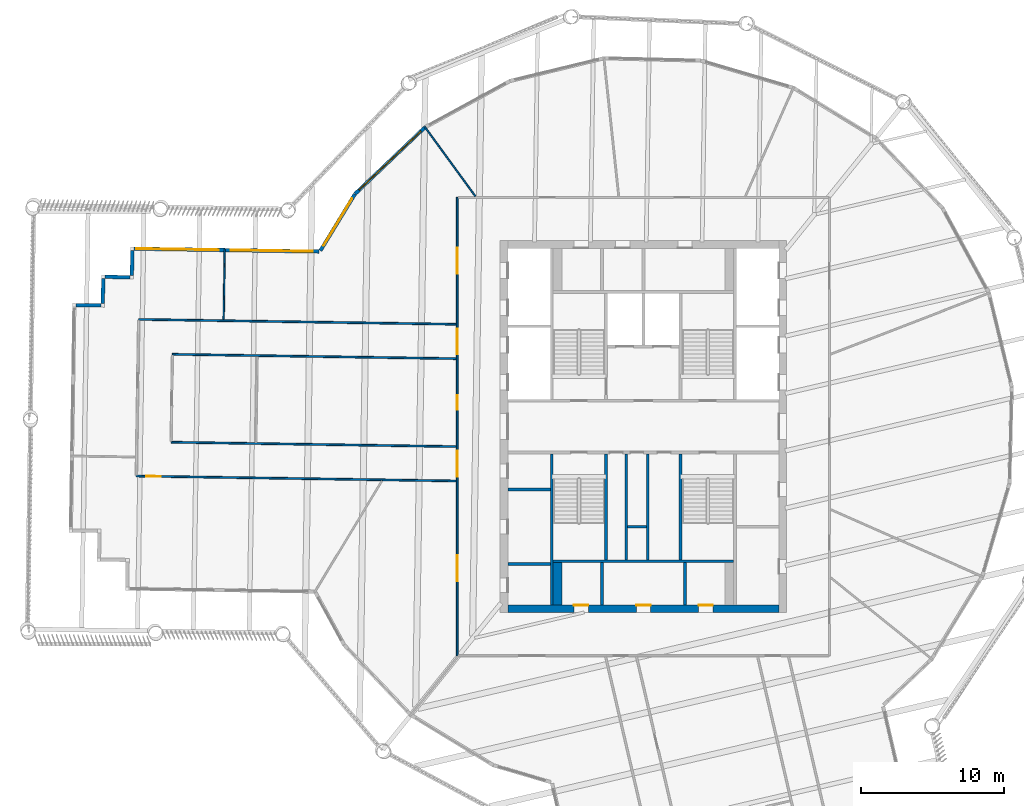
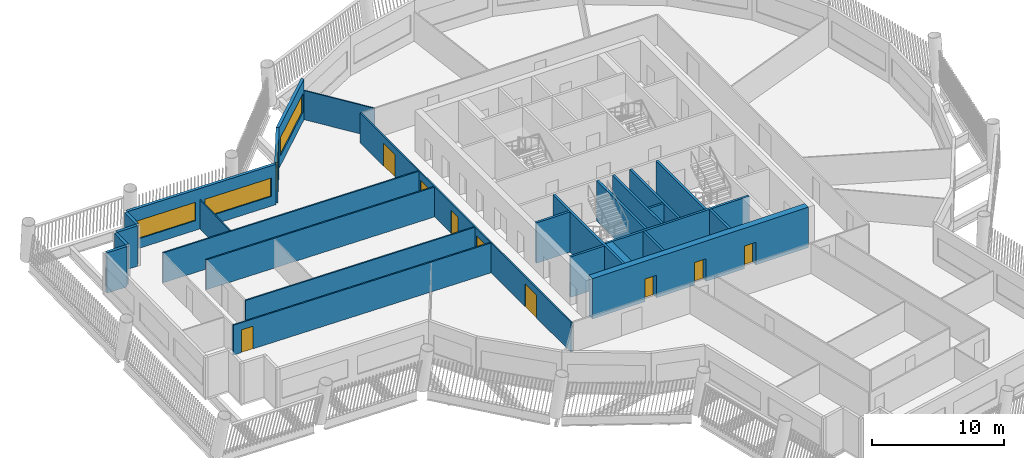
# One storey, part 4 of 15: 27 walls, 9 doors, 4 windows, 13 openings.
"""IFC4 building model written with IfcOpenShell, lengths in metres."""

from ifc_helpers import new_model, si_unit, direction, frame, frame_2d, origin, place, context, subcontext, project, spatial, rectangle, extrude, material, layer, layer_set, type_object, element, fill, save


model = new_model("IFC4")

# Units and contexts
model_context = context("Model", 3, precision=1e-05, world=origin(), true_north=direction((0.0, 1.0)))
body_context = subcontext(model_context, "Body", "Model", "MODEL_VIEW")
ifc_project = project(units=[si_unit("LENGTHUNIT", "METRE"), si_unit("AREAUNIT", "SQUARE_METRE"), si_unit("VOLUMEUNIT", "CUBIC_METRE"), si_unit("PLANEANGLEUNIT", "RADIAN"), si_unit("MASSUNIT", "GRAM", prefix="KILO")], contexts=[model_context])

# Site, building, storey
site_placement = place(None, origin())
site = spatial("IfcSite", under=ifc_project, at=site_placement, CompositionType="ELEMENT")
building_placement = place(site_placement, origin())
building = spatial("IfcBuilding", under=site, at=building_placement, Name="Tarsis Ring Headquarters", CompositionType="ELEMENT")
storey_placement = place(building_placement, frame((0.0, 0.0, 282.5)))
storey = spatial("IfcBuildingStorey", under=building, at=storey_placement, Name="L66", CompositionType="ELEMENT", Elevation=282.5)

# Walls
ifc_material_1 = material(Name="Blockwork", Category="masonry")
ifc_layer_1 = layer(ifc_material_1, 0.199951171875)
ifc_layer_set_1 = layer_set([ifc_layer_1], Name="Core blockwork wall 200")
wall_type_1 = type_object("IfcWallType", Name="Core blockwork wall 200", PredefinedType="PARTITIONING", material=ifc_layer_set_1)
for number, where, z_axis, x_axis, name in (
    (1, (-9.449951171875, -9.60009765625, 0.0), (0.0, 0.0, 1.0), (1.0, 0.0, 0.0), "Core partition WD1"),
    (2, (-9.449951171875, -4.39990234375, 0.0), (0.0, 0.0, 1.0), (1.0, 0.0, 0.0), "Core partition WD3"),
    (3, (-2.89990234375, -12.449951171875, 0.0), (0.0, 0.0, 1.0), (0.0, 1.0, 0.0), "Core partition SD1"),
    (4, (2.89990234375, -12.449951171875, 0.0), (0.0, 0.0, 1.0), (0.0, 1.0, 0.0), "Core partition SD3"),
):
    element("IfcWall", number, at=place(storey_placement, frame(where, z_axis=z_axis, x_axis=x_axis)), inside=storey, type_object=wall_type_1, Name=name, PredefinedType="PARTITIONING", context=body_context, shape_type="SweptSolid", body=[
        extrude(rectangle(XDim=2.949951171875, YDim=0.199951171875, at=frame_2d((1.47509765625, 0.0))), origin(), (0.0, 0.0, 1.0), 3.739990234375),
    ])
wall_1_placement = place(storey_placement, frame((-1.10009765625, -7.0, 0.0), z_axis=(0.0, 0.0, 1.0), x_axis=(1.0, 0.0, 0.0)))
element("IfcWall", 5, at=wall_1_placement, inside=storey, type_object=wall_type_1, Name="Core partition SP2", PredefinedType="PARTITIONING", context=body_context, shape_type="SweptSolid", body=[
    extrude(rectangle(XDim=1.300048828125, YDim=0.199951171875, at=frame_2d((0.64990234375, 0.0))), origin(), (0.0, 0.0, 1.0), 3.739990234375),
])
for number, where, z_axis, x_axis, name in (
    (6, (-1.199951171875, -9.300048828125, 0.0), (0.0, 0.0, 1.0), (0.0, 1.0, 0.0), "Core partition SV1"),
    (7, (0.300048828125, -9.300048828125, 0.0), (0.0, 0.0, 1.0), (0.0, 1.0, 0.0), "Core partition SV2"),
):
    element("IfcWall", number, at=place(storey_placement, frame(where, z_axis=z_axis, x_axis=x_axis)), inside=storey, type_object=wall_type_1, Name=name, PredefinedType="PARTITIONING", context=body_context, shape_type="SweptSolid", body=[
        extrude(rectangle(XDim=7.400146484375, YDim=0.199951171875, at=frame_2d((3.7001953125, 0.0))), origin(), (0.0, 0.0, 1.0), 3.739990234375),
    ])

# Wall, openings, doors
ifc_material_2 = material(Name="Concrete C50/60", Category="concrete")
ifc_layer_2 = layer(ifc_material_2, 0.550048828125)
ifc_layer_set_2 = layer_set([ifc_layer_2], Name="Core wall 550 C50/60")
wall_type_2 = type_object("IfcWallType", Name="Core wall 550 C50/60", PredefinedType="SHEAR", material=ifc_layer_set_2)
wall_2_placement = place(storey_placement, frame((-9.449951171875, -12.72509765625, 0.0), z_axis=(0.0, 0.0, 1.0), x_axis=(1.0, 0.0, 0.0)))
wall_2 = element("IfcWall", 8, at=wall_2_placement, inside=storey, type_object=wall_type_2, Name="Core wall OS", PredefinedType="SHEAR", context=body_context, shape_type="SweptSolid", body=[
    extrude(rectangle(XDim=18.89990234375, YDim=0.550048828125, at=frame_2d((9.449951171875, 0.0))), origin(), (0.0, 0.0, 1.0), 3.739990234375),
])
opening_1_placement = place(wall_2_placement, frame((4.60009765625, 0.0, 0.0)))
opening_1 = element("IfcOpeningElement", 9, at=opening_1_placement, cuts=wall_2, Name="Opening L66-C19", PredefinedType="OPENING", context=body_context, shape_type="SweptSolid", body=[
    extrude(rectangle(XDim=1.0, YDim=2.10009765625, at=frame_2d((0.5, 1.050048828125))), frame((0.0, 0.284912109375, 0.0), z_axis=(0.0, -1.0, 0.0), x_axis=(1.0, 0.0, 0.0)), (0.0, 0.0, 1.0), 0.570068359375),
])
opening_2_placement = place(wall_2_placement, frame((8.949951171875, 0.0, 0.0)))
opening_2 = element("IfcOpeningElement", 10, at=opening_2_placement, cuts=wall_2, Name="Opening L66-C20", PredefinedType="OPENING", context=body_context, shape_type="SweptSolid", body=[
    extrude(rectangle(XDim=1.0, YDim=2.10009765625, at=frame_2d((0.5, 1.050048828125))), frame((0.0, 0.284912109375, 0.0), z_axis=(0.0, -1.0, 0.0), x_axis=(1.0, 0.0, 0.0)), (0.0, 0.0, 1.0), 0.570068359375),
])
opening_3_placement = place(wall_2_placement, frame((13.300048828125, 0.0, 0.0)))
opening_3 = element("IfcOpeningElement", 11, at=opening_3_placement, cuts=wall_2, Name="Opening L66-C21", PredefinedType="OPENING", context=body_context, shape_type="SweptSolid", body=[
    extrude(rectangle(XDim=1.0, YDim=2.10009765625, at=frame_2d((0.5, 1.050048828125))), frame((0.0, 0.284912109375, 0.0), z_axis=(0.0, -1.0, 0.0), x_axis=(1.0, 0.0, 0.0)), (0.0, 0.0, 1.0), 0.570068359375),
])
ifc_material_3 = material(Name="Steel S355", Category="steel")
door_type_1 = type_object("IfcDoorType", Name="Core room door 1000x2100", OperationType="SINGLE_SWING_LEFT", PredefinedType="DOOR", material=ifc_material_3)
door_1_placement = place(opening_1_placement, origin())
door_1 = element("IfcDoor", 12, at=door_1_placement, inside=storey, type_object=door_type_1, Name="Core room door L66", OperationType="SINGLE_SWING_LEFT", OverallHeight=2.10009765625, OverallWidth=1.0, PredefinedType="DOOR", context=body_context, shape_type="SweptSolid", body=[
    extrude(rectangle(XDim=1.0, YDim=2.10009765625, at=frame_2d((0.5, 1.050048828125))), frame((0.0, 0.27490234375, 0.0), z_axis=(0.0, -1.0, 0.0), x_axis=(1.0, 0.0, 0.0)), (0.0, 0.0, 1.0), 0.050048828125),
])
fill(opening_1, door_1)
door_2_placement = place(opening_2_placement, origin())
door_2 = element("IfcDoor", 13, at=door_2_placement, inside=storey, type_object=door_type_1, Name="Core room door L66", OperationType="SINGLE_SWING_LEFT", OverallHeight=2.10009765625, OverallWidth=1.0, PredefinedType="DOOR", context=body_context, shape_type="SweptSolid", body=[
    extrude(rectangle(XDim=1.0, YDim=2.10009765625, at=frame_2d((0.5, 1.050048828125))), frame((0.0, 0.27490234375, 0.0), z_axis=(0.0, -1.0, 0.0), x_axis=(1.0, 0.0, 0.0)), (0.0, 0.0, 1.0), 0.050048828125),
])
fill(opening_2, door_2)
door_3_placement = place(opening_3_placement, origin())
door_3 = element("IfcDoor", 14, at=door_3_placement, inside=storey, type_object=door_type_1, Name="Core room door L66", OperationType="SINGLE_SWING_LEFT", OverallHeight=2.10009765625, OverallWidth=1.0, PredefinedType="DOOR", context=body_context, shape_type="SweptSolid", body=[
    extrude(rectangle(XDim=1.0, YDim=2.10009765625, at=frame_2d((0.5, 1.050048828125))), frame((0.0, 0.27490234375, 0.0), z_axis=(0.0, -1.0, 0.0), x_axis=(1.0, 0.0, 0.0)), (0.0, 0.0, 1.0), 0.050048828125),
])
fill(opening_3, door_3)

# Walls
ifc_material_4 = material(Name="Gypsum board on steel studs", Category="steel")
ifc_layer_3 = layer(ifc_material_4, 0.10009765625)
ifc_layer_set_3 = layer_set([ifc_layer_3], Name="FL partition 100 unrated")
wall_type_3 = type_object("IfcWallType", Name="FL partition 100 unrated", PredefinedType="PARTITIONING", material=ifc_layer_set_3)
wall_3_placement = place(storey_placement, frame((-15.295654296875, 20.960205078125, 0.0), z_axis=(0.0, 0.0, 1.0), x_axis=(0.589485464157, -0.807778984344, 0.0)))
element("IfcWall", 15, at=wall_3_placement, inside=storey, type_object=wall_type_3, Name="Partition PW3", PredefinedType="PARTITIONING", context=body_context, shape_type="SweptSolid", body=[
    extrude(rectangle(XDim=6.04052734375, YDim=0.10009765625, at=frame_2d((3.020263671875, 0.0))), origin(), (0.0, 0.0, 1.0), 2.699951171875),
])
wall_4_placement = place(storey_placement, frame((-29.308837890625, 7.4609375, 0.0), z_axis=(0.0, 0.0, 1.0), x_axis=(0.015369872657, 0.999881876531, 0.0)))
element("IfcWall", 16, at=wall_4_placement, inside=storey, type_object=wall_type_3, Name="Partition PW3", PredefinedType="PARTITIONING", context=body_context, shape_type="SweptSolid", body=[
    extrude(rectangle(XDim=4.93994140625, YDim=0.10009765625, at=frame_2d((2.469970703125, 0.0))), origin(), (0.0, 0.0, 1.0), 2.699951171875),
])

# Wall, openings, doors
ifc_layer_4 = layer(ifc_material_4, 0.125)
ifc_layer_set_4 = layer_set([ifc_layer_4], Name="FL partition 125 EI 60 H2770")
wall_type_4 = type_object("IfcWallType", Name="FL partition 125 EI 60 H2770", PredefinedType="PARTITIONING", material=ifc_layer_set_4)
wall_5_placement = place(storey_placement, frame((-13.0, -16.0, 0.0), z_axis=(0.0, 0.0, 1.0), x_axis=(0.0, 1.0, 0.0)))
wall_5 = element("IfcWall", 17, at=wall_5_placement, inside=storey, type_object=wall_type_4, Name="Partition PW1", PredefinedType="PARTITIONING", context=body_context, shape_type="SweptSolid", body=[
    extrude(rectangle(XDim=32.0, YDim=0.125, at=frame_2d((16.0, 0.0))), origin(), (0.0, 0.0, 1.0), 2.77001953125),
])
opening_4_placement = place(wall_5_placement, frame((26.67041015625, 0.0, 0.0)))
opening_4 = element("IfcOpeningElement", 18, at=opening_4_placement, cuts=wall_5, Name="Opening D66.03", PredefinedType="OPENING", context=body_context, shape_type="SweptSolid", body=[
    extrude(rectangle(XDim=1.800048828125, YDim=2.10009765625, at=frame_2d((0.89990234375, 1.050048828125))), frame((0.0, 0.072509765625, 0.0), z_axis=(0.0, -1.0, 0.0), x_axis=(1.0, 0.0, 0.0)), (0.0, 0.0, 1.0), 0.14501953125),
])
opening_5_placement = place(wall_5_placement, frame((5.19970703125, 0.0, 0.0)))
opening_5 = element("IfcOpeningElement", 19, at=opening_5_placement, cuts=wall_5, Name="Opening D66.13", PredefinedType="OPENING", context=body_context, shape_type="SweptSolid", body=[
    extrude(rectangle(XDim=1.800048828125, YDim=2.10009765625, at=frame_2d((0.89990234375, 1.050048828125))), frame((0.0, 0.072509765625, 0.0), z_axis=(0.0, -1.0, 0.0), x_axis=(1.0, 0.0, 0.0)), (0.0, 0.0, 1.0), 0.14501953125),
])
opening_6_placement = place(wall_5_placement, frame((17.169921875, 0.0, 0.0)))
opening_6 = element("IfcOpeningElement", 20, at=opening_6_placement, cuts=wall_5, Name="Opening D66.14", PredefinedType="OPENING", context=body_context, shape_type="SweptSolid", body=[
    extrude(rectangle(XDim=1.0, YDim=2.10009765625, at=frame_2d((0.5, 1.050048828125))), frame((0.0, 0.072509765625, 0.0), z_axis=(0.0, -1.0, 0.0), x_axis=(1.0, 0.0, 0.0)), (0.0, 0.0, 1.0), 0.14501953125),
])
opening_7_placement = place(wall_5_placement, frame((12.49951171875, 0.0, 0.0)))
opening_7 = element("IfcOpeningElement", 21, at=opening_7_placement, cuts=wall_5, Name="Opening D66.20", PredefinedType="OPENING", context=body_context, shape_type="SweptSolid", body=[
    extrude(rectangle(XDim=1.800048828125, YDim=2.10009765625, at=frame_2d((0.89990234375, 1.050048828125))), frame((0.0, 0.072509765625, 0.0), z_axis=(0.0, -1.0, 0.0), x_axis=(1.0, 0.0, 0.0)), (0.0, 0.0, 1.0), 0.14501953125),
])
opening_8_placement = place(wall_5_placement, frame((21.040283203125, 0.0, 0.0)))
opening_8 = element("IfcOpeningElement", 22, at=opening_8_placement, cuts=wall_5, Name="Opening D66.21", PredefinedType="OPENING", context=body_context, shape_type="SweptSolid", body=[
    extrude(rectangle(XDim=1.800048828125, YDim=2.10009765625, at=frame_2d((0.89990234375, 1.050048828125))), frame((0.0, 0.072509765625, 0.0), z_axis=(0.0, -1.0, 0.0), x_axis=(1.0, 0.0, 0.0)), (0.0, 0.0, 1.0), 0.14501953125),
])
ifc_material_5 = material(Name="Fire-rated timber door leaf in steel frame", Category="steel")
door_type_2 = type_object("IfcDoorType", Name="FL door FD60-1000", OperationType="NOTDEFINED", PredefinedType="DOOR", material=ifc_material_5)
door_4_placement = place(opening_6_placement, origin())
door_4 = element("IfcDoor", 23, at=door_4_placement, inside=storey, type_object=door_type_2, Name="Door D66.14", OperationType="SINGLE_SWING_RIGHT", OverallHeight=2.10009765625, OverallWidth=1.0, PredefinedType="DOOR", context=body_context, shape_type="SweptSolid", body=[
    extrude(rectangle(XDim=1.0, YDim=2.10009765625, at=frame_2d((0.5, 1.050048828125))), frame((0.0, 0.02490234375, 0.0), z_axis=(0.0, -1.0, 0.0), x_axis=(1.0, 0.0, 0.0)), (0.0, 0.0, 1.0), 0.050048828125),
])
fill(opening_6, door_4)
door_type_3 = type_object("IfcDoorType", Name="FL door FD60-1800", OperationType="DOUBLE_DOOR_SINGLE_SWING", PredefinedType="DOOR", material=ifc_material_5)
door_5_placement = place(opening_4_placement, origin())
door_5 = element("IfcDoor", 24, at=door_5_placement, inside=storey, type_object=door_type_3, Name="Door D66.03", OperationType="DOUBLE_DOOR_SINGLE_SWING", OverallHeight=2.10009765625, OverallWidth=1.800048828125, PredefinedType="DOOR", context=body_context, shape_type="SweptSolid", body=[
    extrude(rectangle(XDim=1.800048828125, YDim=2.10009765625, at=frame_2d((0.89990234375, 1.050048828125))), frame((0.0, 0.02490234375, 0.0), z_axis=(0.0, -1.0, 0.0), x_axis=(1.0, 0.0, 0.0)), (0.0, 0.0, 1.0), 0.050048828125),
])
fill(opening_4, door_5)
door_6_placement = place(opening_5_placement, origin())
door_6 = element("IfcDoor", 25, at=door_6_placement, inside=storey, type_object=door_type_3, Name="Door D66.13", OperationType="DOUBLE_DOOR_SINGLE_SWING", OverallHeight=2.10009765625, OverallWidth=1.800048828125, PredefinedType="DOOR", context=body_context, shape_type="SweptSolid", body=[
    extrude(rectangle(XDim=1.800048828125, YDim=2.10009765625, at=frame_2d((0.89990234375, 1.050048828125))), frame((0.0, 0.02490234375, 0.0), z_axis=(0.0, -1.0, 0.0), x_axis=(1.0, 0.0, 0.0)), (0.0, 0.0, 1.0), 0.050048828125),
])
fill(opening_5, door_6)
door_7_placement = place(opening_7_placement, origin())
door_7 = element("IfcDoor", 26, at=door_7_placement, inside=storey, type_object=door_type_3, Name="Door D66.20", OperationType="DOUBLE_DOOR_SINGLE_SWING", OverallHeight=2.10009765625, OverallWidth=1.800048828125, PredefinedType="DOOR", context=body_context, shape_type="SweptSolid", body=[
    extrude(rectangle(XDim=1.800048828125, YDim=2.10009765625, at=frame_2d((0.89990234375, 1.050048828125))), frame((0.0, 0.02490234375, 0.0), z_axis=(0.0, -1.0, 0.0), x_axis=(1.0, 0.0, 0.0)), (0.0, 0.0, 1.0), 0.050048828125),
])
fill(opening_7, door_7)
door_8_placement = place(opening_8_placement, origin())
door_8 = element("IfcDoor", 27, at=door_8_placement, inside=storey, type_object=door_type_3, Name="Door D66.21", OperationType="DOUBLE_DOOR_SINGLE_SWING", OverallHeight=2.10009765625, OverallWidth=1.800048828125, PredefinedType="DOOR", context=body_context, shape_type="SweptSolid", body=[
    extrude(rectangle(XDim=1.800048828125, YDim=2.10009765625, at=frame_2d((0.89990234375, 1.050048828125))), frame((0.0, 0.02490234375, 0.0), z_axis=(0.0, -1.0, 0.0), x_axis=(1.0, 0.0, 0.0)), (0.0, 0.0, 1.0), 0.050048828125),
])
fill(opening_8, door_8)

# Wall, opening, door
wall_6_placement = place(storey_placement, frame((-35.417236328125, -3.45654296875, 0.0), z_axis=(0.0, 0.0, 1.0), x_axis=(0.999882049735, -0.01535860076, 0.0)))
wall_6 = element("IfcWall", 28, at=wall_6_placement, inside=storey, type_object=wall_type_4, Name="Partition PW1", PredefinedType="PARTITIONING", context=body_context, shape_type="SweptSolid", body=[
    extrude(rectangle(XDim=22.349853515625, YDim=0.125, at=frame_2d((11.1748046875, 0.0))), origin(), (0.0, 0.0, 1.0), 2.77001953125),
])
opening_9_placement = place(wall_6_placement, frame((0.699951171875, 0.0, 0.0)))
opening_9 = element("IfcOpeningElement", 29, at=opening_9_placement, cuts=wall_6, Name="Opening D66.01", PredefinedType="OPENING", context=body_context, shape_type="SweptSolid", body=[
    extrude(rectangle(XDim=1.0, YDim=2.10009765625, at=frame_2d((0.5, 1.050048828125))), frame((0.0, 0.072509765625, 0.0), z_axis=(0.0, -1.0, 0.0), x_axis=(1.0, 0.0, 0.0)), (0.0, 0.0, 1.0), 0.14501953125),
])
door_9_placement = place(opening_9_placement, origin())
door_9 = element("IfcDoor", 30, at=door_9_placement, inside=storey, type_object=door_type_2, Name="Door D66.01", OperationType="SINGLE_SWING_LEFT", OverallHeight=2.10009765625, OverallWidth=1.0, PredefinedType="DOOR", context=body_context, shape_type="SweptSolid", body=[
    extrude(rectangle(XDim=1.0, YDim=2.10009765625, at=frame_2d((0.5, 1.050048828125))), frame((0.0, 0.02490234375, 0.0), z_axis=(0.0, -1.0, 0.0), x_axis=(1.0, 0.0, 0.0)), (0.0, 0.0, 1.0), 0.050048828125),
])
fill(opening_9, door_9)

# Walls
wall_7_placement = place(storey_placement, frame((-35.249267578125, 7.482421875, 0.0), z_axis=(0.0, 0.0, 1.0), x_axis=(0.999881953717, -0.015364850488, 0.0)))
element("IfcWall", 31, at=wall_7_placement, inside=storey, type_object=wall_type_4, Name="Partition PW1", PredefinedType="PARTITIONING", context=body_context, shape_type="SweptSolid", body=[
    extrude(rectangle(XDim=22.181884765625, YDim=0.125, at=frame_2d((11.0908203125, 0.0))), origin(), (0.0, 0.0, 1.0), 2.77001953125),
])
wall_8_placement = place(storey_placement, frame((-32.980712890625, -1.093505859375, 0.0), z_axis=(0.0, 0.0, 1.0), x_axis=(0.999881993825, -0.015362240212, 0.0)))
element("IfcWall", 32, at=wall_8_placement, inside=storey, type_object=wall_type_4, Name="Partition PW1", PredefinedType="PARTITIONING", context=body_context, shape_type="SweptSolid", body=[
    extrude(rectangle(XDim=19.9130859375, YDim=0.125, at=frame_2d((9.95654296875, 0.0))), origin(), (0.0, 0.0, 1.0), 2.77001953125),
])
wall_9_placement = place(storey_placement, frame((-32.886474609375, 5.045654296875, 0.0), z_axis=(0.0, 0.0, 1.0), x_axis=(0.999882006971, -0.015361384569, 0.0)))
element("IfcWall", 33, at=wall_9_placement, inside=storey, type_object=wall_type_4, Name="Partition PW1", PredefinedType="PARTITIONING", context=body_context, shape_type="SweptSolid", body=[
    extrude(rectangle(XDim=19.81884765625, YDim=0.125, at=frame_2d((9.909423828125, 0.0))), origin(), (0.0, 0.0, 1.0), 2.77001953125),
])

# Wall, opening, window
ifc_material_6 = material(Name="Terracotta clad insulated panel wall", Category="masonry")
ifc_layer_5 = layer(ifc_material_6, 0.25)
ifc_layer_set_5 = layer_set([ifc_layer_5], Name="Facade wall terracotta panel 250")
wall_type_5 = type_object("IfcWallType", Name="Facade wall terracotta panel 250", PredefinedType="STANDARD", material=ifc_layer_set_5)
wall_10_placement = place(storey_placement, frame((-15.263916015625, 20.88916015625, 0.0), z_axis=(0.0, 0.0, 1.0), x_axis=(-0.723936638382, -0.689866467954, 0.0)))
wall_10 = element("IfcWall", 34, at=wall_10_placement, inside=storey, type_object=wall_type_5, Name="External wall L66-29", PredefinedType="STANDARD", context=body_context, shape_type="SweptSolid", body=[
    extrude(rectangle(XDim=6.721435546875, YDim=0.25, at=frame_2d((3.36083984375, 0.0))), origin(), (0.0, 0.0, 1.0), 3.739990234375),
])
opening_10_placement = place(wall_10_placement, frame((0.3857421875, 0.0, 0.89990234375)))
opening_10 = element("IfcOpeningElement", 35, at=opening_10_placement, cuts=wall_10, Name="Opening WN07", PredefinedType="OPENING", context=body_context, shape_type="SweptSolid", body=[
    extrude(rectangle(XDim=5.949951171875, YDim=1.699951171875, at=frame_2d((2.97509765625, 0.85009765625))), frame((0.0, 0.135009765625, 0.0), z_axis=(0.0, -1.0, 0.0), x_axis=(1.0, 0.0, 0.0)), (0.0, 0.0, 1.0), 0.27001953125),
])
ifc_material_7 = material(Name="Aluminium framed double glazing", Category="aluminium")
window_type_1 = type_object("IfcWindowType", Name="Facade window 5950 x 1700", PartitioningType="SINGLE_PANEL", PredefinedType="WINDOW", material=ifc_material_7)
window_1_placement = place(opening_10_placement, origin())
window_1 = element("IfcWindow", 36, at=window_1_placement, inside=storey, type_object=window_type_1, Name="Window L66-29.1", OverallHeight=1.699951171875, OverallWidth=5.949951171875, PartitioningType="SINGLE_PANEL", PredefinedType="WINDOW", context=body_context, shape_type="SweptSolid", body=[
    extrude(rectangle(XDim=5.949951171875, YDim=1.699951171875, at=frame_2d((2.97509765625, 0.85009765625))), frame((0.0, 0.030029296875, 0.0), z_axis=(0.0, -1.0, 0.0), x_axis=(1.0, 0.0, 0.0)), (0.0, 0.0, 1.0), 0.06005859375),
])
fill(opening_10, window_1)

wall_11_placement = place(storey_placement, frame((-20.150390625, 16.226806640625, 0.0), z_axis=(0.0, 0.0, 1.0), x_axis=(-0.520709880606, -0.853733693982, 0.0)))
wall_11 = element("IfcWall", 37, at=wall_11_placement, inside=storey, type_object=wall_type_5, Name="External wall L66-30", PredefinedType="STANDARD", context=body_context, shape_type="SweptSolid", body=[
    extrude(rectangle(XDim=4.617919921875, YDim=0.25, at=frame_2d((2.30908203125, 0.0))), origin(), (0.0, 0.0, 1.0), 3.739990234375),
])
opening_11_placement = place(wall_11_placement, frame((0.367431640625, 0.0, 0.89990234375)))
opening_11 = element("IfcOpeningElement", 38, at=opening_11_placement, cuts=wall_11, Name="Opening WN02", PredefinedType="OPENING", context=body_context, shape_type="SweptSolid", body=[
    extrude(rectangle(XDim=3.85009765625, YDim=1.699951171875, at=frame_2d((1.925048828125, 0.85009765625))), frame((0.0, 0.135009765625, 0.0), z_axis=(0.0, -1.0, 0.0), x_axis=(1.0, 0.0, 0.0)), (0.0, 0.0, 1.0), 0.27001953125),
])
window_type_2 = type_object("IfcWindowType", Name="Facade window 3850 x 1700", PartitioningType="SINGLE_PANEL", PredefinedType="WINDOW", material=ifc_material_7)
window_2_placement = place(opening_11_placement, origin())
window_2 = element("IfcWindow", 39, at=window_2_placement, inside=storey, type_object=window_type_2, Name="Window L66-30.1", OverallHeight=1.699951171875, OverallWidth=3.85009765625, PartitioningType="SINGLE_PANEL", PredefinedType="WINDOW", context=body_context, shape_type="SweptSolid", body=[
    extrude(rectangle(XDim=3.85009765625, YDim=1.699951171875, at=frame_2d((1.925048828125, 0.85009765625))), frame((0.0, 0.030029296875, 0.0), z_axis=(0.0, -1.0, 0.0), x_axis=(1.0, 0.0, 0.0)), (0.0, 0.0, 1.0), 0.06005859375),
])
fill(opening_11, window_2)

# Wall, openings, windows
wall_12_placement = place(storey_placement, frame((-22.66357421875, 12.224609375, 0.0), z_axis=(0.0, 0.0, 1.0), x_axis=(-0.999882227947, 0.015346994339, 0.0)))
wall_12 = element("IfcWall", 40, at=wall_12_placement, inside=storey, type_object=wall_type_5, Name="External wall L66-31", PredefinedType="STANDARD", context=body_context, shape_type="SweptSolid", body=[
    extrude(rectangle(XDim=12.9013671875, YDim=0.25, at=frame_2d((6.45068359375, 0.0))), origin(), (0.0, 0.0, 1.0), 3.739990234375),
])
opening_12_placement = place(wall_12_placement, frame((0.412841796875, 0.0, 0.89990234375)))
opening_12 = element("IfcOpeningElement", 41, at=opening_12_placement, cuts=wall_12, Name="Opening WN06", PredefinedType="OPENING", context=body_context, shape_type="SweptSolid", body=[
    extrude(rectangle(XDim=5.75, YDim=1.699951171875, at=frame_2d((2.875, 0.85009765625))), frame((0.0, 0.135009765625, 0.0), z_axis=(0.0, -1.0, 0.0), x_axis=(1.0, 0.0, 0.0)), (0.0, 0.0, 1.0), 0.27001953125),
])
opening_13_placement = place(wall_12_placement, frame((6.988525390625, 0.0, 0.89990234375)))
opening_13 = element("IfcOpeningElement", 42, at=opening_13_placement, cuts=wall_12, Name="Opening WN06", PredefinedType="OPENING", context=body_context, shape_type="SweptSolid", body=[
    extrude(rectangle(XDim=5.75, YDim=1.699951171875, at=frame_2d((2.875, 0.85009765625))), frame((0.0, 0.135009765625, 0.0), z_axis=(0.0, -1.0, 0.0), x_axis=(1.0, 0.0, 0.0)), (0.0, 0.0, 1.0), 0.27001953125),
])
window_type_3 = type_object("IfcWindowType", Name="Facade window 5750 x 1700", PartitioningType="SINGLE_PANEL", PredefinedType="WINDOW", material=ifc_material_7)
window_3_placement = place(opening_12_placement, origin())
window_3 = element("IfcWindow", 43, at=window_3_placement, inside=storey, type_object=window_type_3, Name="Window L66-31.1", OverallHeight=1.699951171875, OverallWidth=5.75, PartitioningType="SINGLE_PANEL", PredefinedType="WINDOW", context=body_context, shape_type="SweptSolid", body=[
    extrude(rectangle(XDim=5.75, YDim=1.699951171875, at=frame_2d((2.875, 0.85009765625))), frame((0.0, 0.030029296875, 0.0), z_axis=(0.0, -1.0, 0.0), x_axis=(1.0, 0.0, 0.0)), (0.0, 0.0, 1.0), 0.06005859375),
])
fill(opening_12, window_3)
window_4_placement = place(opening_13_placement, origin())
window_4 = element("IfcWindow", 44, at=window_4_placement, inside=storey, type_object=window_type_3, Name="Window L66-31.2", OverallHeight=1.699951171875, OverallWidth=5.75, PartitioningType="SINGLE_PANEL", PredefinedType="WINDOW", context=body_context, shape_type="SweptSolid", body=[
    extrude(rectangle(XDim=5.75, YDim=1.699951171875, at=frame_2d((2.875, 0.85009765625))), frame((0.0, 0.030029296875, 0.0), z_axis=(0.0, -1.0, 0.0), x_axis=(1.0, 0.0, 0.0)), (0.0, 0.0, 1.0), 0.06005859375),
])
fill(opening_13, window_4)

# Walls
wall_13_placement = place(storey_placement, frame((-35.6904296875, 12.299560546875, 0.0), z_axis=(0.0, 0.0, 1.0), x_axis=(-0.015346315923, -0.99988223836, 0.0)))
element("IfcWall", 45, at=wall_13_placement, inside=storey, type_object=wall_type_5, Name="External wall L66-32", PredefinedType="STANDARD", context=body_context, shape_type="SweptSolid", body=[
    extrude(rectangle(XDim=1.75, YDim=0.25, at=frame_2d((0.875, 0.0))), origin(), (0.0, 0.0, 1.0), 3.739990234375),
])
wall_14_placement = place(storey_placement, frame((-35.843994140625, 10.4267578125, 0.0), z_axis=(0.0, 0.0, 1.0), x_axis=(-0.999882271209, 0.015344175479, 0.0)))
element("IfcWall", 46, at=wall_14_placement, inside=storey, type_object=wall_type_5, Name="External wall L66-33", PredefinedType="STANDARD", context=body_context, shape_type="SweptSolid", body=[
    extrude(rectangle(XDim=1.750244140625, YDim=0.25, at=frame_2d((0.875, 0.0))), origin(), (0.0, 0.0, 1.0), 3.739990234375),
])
for number, where, z_axis, x_axis, name in (
    (47, (-37.720703125, 10.33056640625, 0.0), (0.0, 0.0, 1.0), (-0.015346315923, -0.99988223836, 0.0), "External wall L66-34"),
    (48, (-37.87451171875, 8.457763671875, 0.0), (0.0, 0.0, 1.0), (-0.99988223836, 0.015346315923, 0.0), "External wall L66-35"),
):
    element("IfcWall", number, at=place(storey_placement, frame(where, z_axis=z_axis, x_axis=x_axis)), inside=storey, type_object=wall_type_5, Name=name, PredefinedType="STANDARD", context=body_context, shape_type="SweptSolid", body=[
        extrude(rectangle(XDim=1.75, YDim=0.25, at=frame_2d((0.875, 0.0))), origin(), (0.0, 0.0, 1.0), 3.739990234375),
    ])
ifc_material_8 = material(Name="Concrete C32/40", Category="concrete")
ifc_layer_6 = layer(ifc_material_8, 0.60009765625)
ifc_layer_set_6 = layer_set([ifc_layer_6], Name="Shaft end wall 600 C32/40")
wall_type_6 = type_object("IfcWallType", Name="Shaft end wall 600 C32/40", PredefinedType="SOLIDWALL", material=ifc_layer_set_6)
wall_15_placement = place(storey_placement, frame((-6.0, -12.449951171875, 0.0), z_axis=(0.0, 0.0, 1.0), x_axis=(0.0, 1.0, 0.0)))
element("IfcWall", 49, at=wall_15_placement, inside=storey, type_object=wall_type_6, Name="Core shaft wall SNE1", PredefinedType="SOLIDWALL", context=body_context, shape_type="SweptSolid", body=[
    extrude(rectangle(XDim=2.949951171875, YDim=0.60009765625, at=frame_2d((1.47509765625, 0.0))), origin(), (0.0, 0.0, 1.0), 3.739990234375),
])
ifc_layer_7 = layer(ifc_material_8, 0.199951171875)
ifc_layer_set_7 = layer_set([ifc_layer_7], Name="Shaft wall 200 C32/40")
wall_type_7 = type_object("IfcWallType", Name="Shaft wall 200 C32/40", PredefinedType="SOLIDWALL", material=ifc_layer_set_7)
wall_16_placement = place(storey_placement, frame((-6.39990234375, -12.449951171875, 0.0), z_axis=(0.0, 0.0, 1.0), x_axis=(0.0, 1.0, 0.0)))
element("IfcWall", 50, at=wall_16_placement, inside=storey, type_object=wall_type_7, Name="Core shaft wall WB1", PredefinedType="SOLIDWALL", context=body_context, shape_type="SweptSolid", body=[
    extrude(rectangle(XDim=10.550048828125, YDim=0.199951171875, at=frame_2d((5.27490234375, 0.0))), origin(), (0.0, 0.0, 1.0), 3.739990234375),
])
wall_17_placement = place(storey_placement, frame((-6.300048828125, -9.39990234375, 0.0), z_axis=(0.0, 0.0, 1.0), x_axis=(1.0, 0.0, 0.0)))
element("IfcWall", 51, at=wall_17_placement, inside=storey, type_object=wall_type_7, Name="Core shaft wall SB", PredefinedType="SOLIDWALL", context=body_context, shape_type="SweptSolid", body=[
    extrude(rectangle(XDim=12.60009765625, YDim=0.199951171875, at=frame_2d((6.300048828125, 0.0))), origin(), (0.0, 0.0, 1.0), 3.739990234375),
])
for number, where, z_axis, x_axis, name in (
    (52, (-2.60009765625, -9.300048828125, 0.0), (0.0, 0.0, 1.0), (0.0, 1.0, 0.0), "Core shaft wall SW3"),
    (53, (2.60009765625, -9.300048828125, 0.0), (0.0, 0.0, 1.0), (0.0, 1.0, 0.0), "Core shaft wall SW4"),
):
    element("IfcWall", number, at=place(storey_placement, frame(where, z_axis=z_axis, x_axis=x_axis)), inside=storey, type_object=wall_type_7, Name=name, PredefinedType="SOLIDWALL", context=body_context, shape_type="SweptSolid", body=[
        extrude(rectangle(XDim=7.400146484375, YDim=0.199951171875, at=frame_2d((3.7001953125, 0.0))), origin(), (0.0, 0.0, 1.0), 3.739990234375),
    ])

save(model, "model.ifc")
